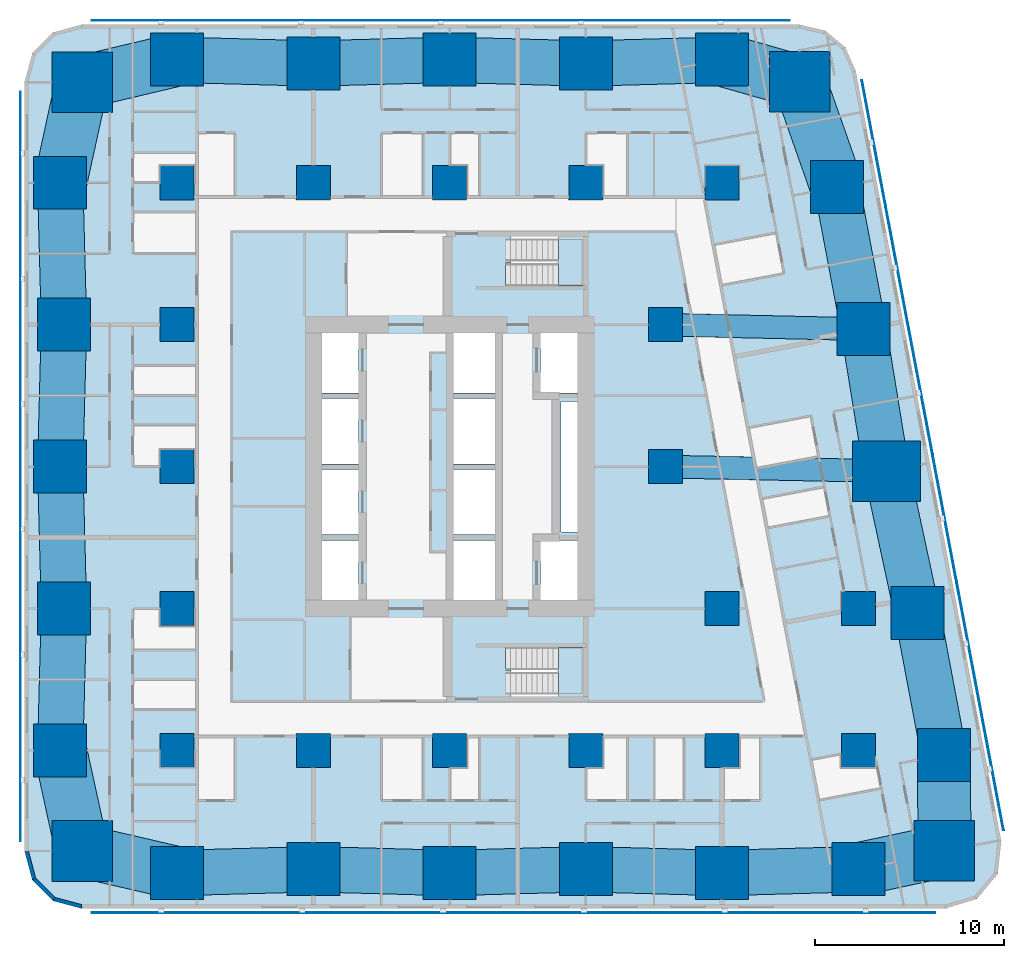
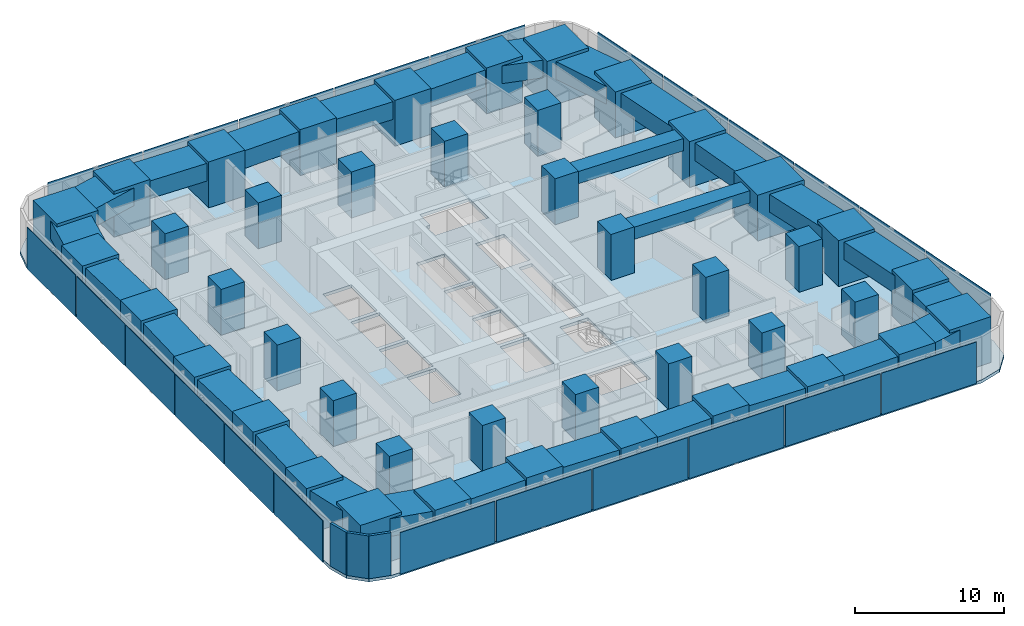
# One storey, part 1 of 18: 43 columns, 27 beams, 23 plates, 3 slabs, 3 walls, 2 elements without a shape of their own.
"""IFC4 building model written with IfcOpenShell, lengths in metres."""

from ifc_helpers import new_model, si_unit, direction, frame, frame_2d, origin, origin_2d, place, context, subcontext, project, spatial, polyline, rectangle, outline, extrude, material, layer, layer_set, material_profile, profile_set, type_object, element, aggregate, save


model = new_model("IFC4")

# Units and contexts
model_context = context("Model", 3, precision=1e-05, world=origin(), true_north=direction((0.0, 1.0)))
body_context = subcontext(model_context, "Body", "Model", "MODEL_VIEW")
ifc_project = project(units=[si_unit("LENGTHUNIT", "METRE"), si_unit("AREAUNIT", "SQUARE_METRE"), si_unit("VOLUMEUNIT", "CUBIC_METRE"), si_unit("PLANEANGLEUNIT", "RADIAN"), si_unit("MASSUNIT", "GRAM", prefix="KILO")], contexts=[model_context])

# Site, building, storey
site_placement = place(None, origin())
site = spatial("IfcSite", under=ifc_project, at=site_placement, CompositionType="ELEMENT")
building_placement = place(site_placement, origin())
building = spatial("IfcBuilding", under=site, at=building_placement, Name="Sheger Commons Tower", CompositionType="ELEMENT")
storey_placement = place(building_placement, frame((0.0, 0.0, 31.25)))
storey = spatial("IfcBuildingStorey", under=building, at=storey_placement, Name="L07", CompositionType="ELEMENT", Elevation=31.25)

# Columns
ifc_material_1 = material(Name="Concrete C50/60", Category="concrete")
ifc_material_profile_1 = material_profile(ifc_material_1, rectangle(XDim=3.60009765625, YDim=3.199951171875, at=origin_2d()), Name="RC 3600x3200")
ifc_profile_set_1 = profile_set([ifc_material_profile_1], Name="Concrete C50/60")
column_type_1 = type_object("IfcColumnType", Name="COLUMN PIER RC 3600x3200", PredefinedType="COLUMN", material=ifc_profile_set_1)
column_placement = place(storey_placement, frame((44.697021484375, 22.262939453125, 0.0), z_axis=(0.0, 0.0, 1.0), x_axis=(1.0, 0.0, 0.0)))
element("IfcColumn", 1, at=column_placement, inside=storey, type_object=column_type_1, Name="Pier 7/D+E/D L07", PredefinedType="COLUMN", context=body_context, shape_type="SweptSolid", body=[
    extrude(rectangle(XDim=3.60009765625, YDim=3.199951171875, at=origin_2d()), origin(), (0.0, 0.0, 1.0), 3.75),
])
ifc_material_2 = material(Name="Concrete C50/60", Category="concrete")
ifc_material_profile_2 = material_profile(ifc_material_2, rectangle(XDim=1.800048828125, YDim=1.800048828125, at=origin_2d()), Name="RC 1800x1800")
ifc_profile_set_2 = profile_set([ifc_material_profile_2], Name="Concrete C50/60")
column_type_2 = type_object("IfcColumnType", Name="COLUMN RC 1800x1800", PredefinedType="COLUMN", material=ifc_profile_set_2)
for number, where, z_axis, x_axis, name in (
    (2, (7.199951171875, 7.5, 0.0), (0.0, 0.0, 1.0), (1.0, 0.0, 0.0), "Column 2/B L07"),
    (3, (14.39990234375, 7.5, 0.0), (0.0, 0.0, 1.0), (1.0, 0.0, 0.0), "Column 3/B L07"),
    (4, (21.60009765625, 7.5, 0.0), (0.0, 0.0, 1.0), (1.0, 0.0, 0.0), "Column 4/B L07"),
    (5, (28.800048828125, 7.5, 0.0), (0.0, 0.0, 1.0), (1.0, 0.0, 0.0), "Column 5/B L07"),
    (6, (36.0, 7.5, 0.0), (0.0, 0.0, 1.0), (1.0, 0.0, 0.0), "Column 6/B L07"),
    (7, (43.199951171875, 7.5, 0.0), (0.0, 0.0, 1.0), (1.0, 0.0, 0.0), "Column 7/B L07"),
    (8, (7.199951171875, 15.0, 0.0), (0.0, 0.0, 1.0), (1.0, 0.0, 0.0), "Column 2/C L07"),
    (9, (36.0, 15.0, 0.0), (0.0, 0.0, 1.0), (1.0, 0.0, 0.0), "Column 6/C L07"),
    (10, (43.199951171875, 15.0, 0.0), (0.0, 0.0, 1.0), (1.0, 0.0, 0.0), "Column 7/C L07"),
    (11, (7.199951171875, 22.5, 0.0), (0.0, 0.0, 1.0), (1.0, 0.0, 0.0), "Column 2/D L07"),
    (12, (33.0, 22.5, 0.0), (0.0, 0.0, 1.0), (1.0, 0.0, 0.0), "Column 6-3000/D L07"),
    (13, (7.199951171875, 30.0, 0.0), (0.0, 0.0, 1.0), (1.0, 0.0, 0.0), "Column 2/E L07"),
    (14, (33.0, 30.0, 0.0), (0.0, 0.0, 1.0), (1.0, 0.0, 0.0), "Column 6-3000/E L07"),
    (15, (7.199951171875, 37.5, 0.0), (0.0, 0.0, 1.0), (1.0, 0.0, 0.0), "Column 2/F L07"),
    (16, (14.39990234375, 37.5, 0.0), (0.0, 0.0, 1.0), (1.0, 0.0, 0.0), "Column 3/F L07"),
    (17, (21.60009765625, 37.5, 0.0), (0.0, 0.0, 1.0), (1.0, 0.0, 0.0), "Column 4/F L07"),
    (18, (28.800048828125, 37.5, 0.0), (0.0, 0.0, 1.0), (1.0, 0.0, 0.0), "Column 5/F L07"),
    (19, (36.0, 37.5, 0.0), (0.0, 0.0, 1.0), (1.0, 0.0, 0.0), "Column 6/F L07"),
):
    element("IfcColumn", number, at=place(storey_placement, frame(where, z_axis=z_axis, x_axis=x_axis)), inside=storey, type_object=column_type_2, Name=name, PredefinedType="COLUMN", context=body_context, shape_type="SweptSolid", body=[
        extrude(rectangle(XDim=1.800048828125, YDim=1.800048828125, at=origin_2d()), origin(), (0.0, 0.0, 1.0), 3.75),
    ])
ifc_material_3 = material(Name="Concrete C50/60", Category="concrete")
ifc_material_profile_3 = material_profile(ifc_material_3, rectangle(XDim=2.800048828125, YDim=2.800048828125, at=origin_2d()), Name="RC 2800x2800")
ifc_profile_set_3 = profile_set([ifc_material_profile_3], Name="Concrete C50/60")
column_type_3 = type_object("IfcColumnType", Name="COLUMN RC 2800x2800", PredefinedType="COLUMN", material=ifc_profile_set_3)
for number, where, z_axis, x_axis, name in (
    (20, (7.199951171875, 1.02490234375, 0.0), (0.0, 0.0, 1.0), (1.0, 0.0, 0.0), "Column 2/A L07"),
    (21, (14.39990234375, 1.22509765625, 0.0), (0.0, 0.0, 1.0), (1.0, 0.0, 0.0), "Column 3/A L07"),
    (22, (21.60009765625, 1.02490234375, 0.0), (0.0, 0.0, 1.0), (1.0, 0.0, 0.0), "Column 4/A L07"),
    (23, (28.800048828125, 1.22509765625, 0.0), (0.0, 0.0, 1.0), (1.0, 0.0, 0.0), "Column 5/A L07"),
    (24, (36.0, 1.02490234375, 0.0), (0.0, 0.0, 1.0), (1.0, 0.0, 0.0), "Column 6/A L07"),
    (25, (43.199951171875, 1.22509765625, 0.0), (0.0, 0.0, 1.0), (1.0, 0.0, 0.0), "Column 7/A L07"),
    (26, (1.02490234375, 7.5, 0.0), (0.0, 0.0, 1.0), (1.0, 0.0, 0.0), "Column 1/B L07"),
    (27, (47.72998046875, 7.262939453125, 0.0), (0.0, 0.0, 1.0), (1.0, 0.0, 0.0), "Column E/B L07"),
    (28, (1.22509765625, 15.0, 0.0), (0.0, 0.0, 1.0), (1.0, 0.0, 0.0), "Column 1/C L07"),
    (29, (46.31396484375, 14.762939453125, 0.0), (0.0, 0.0, 1.0), (1.0, 0.0, 0.0), "Column E/C L07"),
    (30, (1.02490234375, 22.5, 0.0), (0.0, 0.0, 1.0), (1.0, 0.0, 0.0), "Column 1/D L07"),
    (31, (1.22509765625, 30.0, 0.0), (0.0, 0.0, 1.0), (1.0, 0.0, 0.0), "Column 1/E L07"),
    (32, (43.47998046875, 29.762939453125, 0.0), (0.0, 0.0, 1.0), (1.0, 0.0, 0.0), "Column E/E L07"),
    (33, (1.02490234375, 37.5, 0.0), (0.0, 0.0, 1.0), (1.0, 0.0, 0.0), "Column 1/F L07"),
    (34, (42.06396484375, 37.262939453125, 0.0), (0.0, 0.0, 1.0), (1.0, 0.0, 0.0), "Column E/F L07"),
    (35, (7.199951171875, 44.0, 0.0), (0.0, 0.0, 1.0), (1.0, 0.0, 0.0), "Column 2/G L07"),
    (36, (14.39990234375, 43.800048828125, 0.0), (0.0, 0.0, 1.0), (1.0, 0.0, 0.0), "Column 3/G L07"),
    (37, (21.60009765625, 44.0, 0.0), (0.0, 0.0, 1.0), (1.0, 0.0, 0.0), "Column 4/G L07"),
    (38, (28.800048828125, 43.800048828125, 0.0), (0.0, 0.0, 1.0), (1.0, 0.0, 0.0), "Column 5/G L07"),
    (39, (36.0, 44.0, 0.0), (0.0, 0.0, 1.0), (1.0, 0.0, 0.0), "Column 6/G L07"),
):
    element("IfcColumn", number, at=place(storey_placement, frame(where, z_axis=z_axis, x_axis=x_axis)), inside=storey, type_object=column_type_3, Name=name, PredefinedType="COLUMN", context=body_context, shape_type="SweptSolid", body=[
        extrude(rectangle(XDim=2.800048828125, YDim=2.800048828125, at=origin_2d()), origin(), (0.0, 0.0, 1.0), 3.75),
    ])
ifc_material_4 = material(Name="Concrete C50/60", Category="concrete")
ifc_material_profile_4 = material_profile(ifc_material_4, rectangle(XDim=3.199951171875, YDim=3.199951171875, at=origin_2d()), Name="RC 3200x3200")
ifc_profile_set_4 = profile_set([ifc_material_profile_4], Name="Concrete C50/60")
column_type_4 = type_object("IfcColumnType", Name="COLUMN RC 3200x3200", PredefinedType="COLUMN", material=ifc_profile_set_4)
for number, where, z_axis, x_axis, name in (
    (40, (2.18603515625, 2.18603515625, 0.0), (0.0, 0.0, 1.0), (1.0, 0.0, 0.0), "Column 0.630,0.630 L07"),
    (41, (47.748046875, 2.197021484375, 0.0), (0.0, 0.0, 1.0), (1.0, 0.0, 0.0), "Column 49.461,0.778 L07"),
    (42, (2.18603515625, 42.81396484375, 0.0), (0.0, 0.0, 1.0), (1.0, 0.0, 0.0), "Column 0.630,44.370 L07"),
    (43, (40.10205078125, 42.830078125, 0.0), (0.0, 0.0, 1.0), (1.0, 0.0, 0.0), "Column 41.490,44.505 L07"),
):
    element("IfcColumn", number, at=place(storey_placement, frame(where, z_axis=z_axis, x_axis=x_axis)), inside=storey, type_object=column_type_4, Name=name, PredefinedType="COLUMN", context=body_context, shape_type="SweptSolid", body=[
        extrude(rectangle(XDim=3.199951171875, YDim=3.199951171875, at=origin_2d()), origin(), (0.0, 0.0, 1.0), 3.75),
    ])

# Beams
ifc_material_5 = material(Name="Concrete C50/60", Category="concrete")
ifc_material_profile_5 = material_profile(ifc_material_5, rectangle(XDim=1.199951171875, YDim=1.0, at=origin_2d()), Name="RC 1200x1000")
ifc_profile_set_5 = profile_set([ifc_material_profile_5], Name="Concrete C50/60")
beam_type_1 = type_object("IfcBeamType", Name="BEAM RC 1200x1000", PredefinedType="BEAM", material=ifc_profile_set_5)
beam_1_placement = place(storey_placement, frame((33.0, 22.5, 3.0), z_axis=(0.999794692776, -0.02026258368, 0.0), x_axis=(0.02026258368, 0.999794692776, 0.0)))
element("IfcBeam", 44, at=beam_1_placement, inside=storey, type_object=beam_type_1, Name="Beam 6-3000/D-7/D under L08", PredefinedType="BEAM", context=body_context, shape_type="SweptSolid", body=[
    extrude(rectangle(XDim=1.199951171875, YDim=1.0, at=origin_2d()), origin(), (0.0, 0.0, 1.0), 11.699462890625),
])
beam_2_placement = place(storey_placement, frame((33.0, 30.0, 3.0), z_axis=(0.999744258625, -0.022614538395, 0.0), x_axis=(0.022614538395, 0.999744258625, 0.0)))
element("IfcBeam", 45, at=beam_2_placement, inside=storey, type_object=beam_type_1, Name="Beam 6-3000/E-E/E under L08", PredefinedType="BEAM", context=body_context, shape_type="SweptSolid", body=[
    extrude(rectangle(XDim=1.199951171875, YDim=1.0, at=origin_2d()), origin(), (0.0, 0.0, 1.0), 10.482666015625),
])
ifc_material_6 = material(Name="Concrete C50/60", Category="concrete")
ifc_material_profile_6 = material_profile(ifc_material_6, rectangle(XDim=2.39990234375, YDim=1.449951171875, at=origin_2d()), Name="RC 2400x1450")
ifc_profile_set_6 = profile_set([ifc_material_profile_6], Name="Concrete C50/60")
beam_type_2 = type_object("IfcBeamType", Name="SPANDREL RC 2400x1450", PredefinedType="SPANDREL", material=ifc_profile_set_6)
beam_3_placement = place(storey_placement, frame((7.199951171875, 1.02490234375, 2.77490234375), z_axis=(0.9996136624, 0.027794350926, 0.0), x_axis=(-0.027794350926, 0.9996136624, 0.0)))
element("IfcBeam", 46, at=beam_3_placement, inside=storey, type_object=beam_type_2, Name="Beam 2/A-3/A under L08", PredefinedType="SPANDREL", context=body_context, shape_type="SweptSolid", body=[
    extrude(rectangle(XDim=2.39990234375, YDim=1.449951171875, at=origin_2d()), origin(), (0.0, 0.0, 1.0), 7.20263671875),
])
beam_4_placement = place(storey_placement, frame((14.39990234375, 1.22509765625, 2.77490234375), z_axis=(0.999613688584, -0.027793409217, 0.0), x_axis=(0.027793409217, 0.999613688584, 0.0)))
element("IfcBeam", 47, at=beam_4_placement, inside=storey, type_object=beam_type_2, Name="Beam 3/A-4/A under L08", PredefinedType="SPANDREL", context=body_context, shape_type="SweptSolid", body=[
    extrude(rectangle(XDim=2.39990234375, YDim=1.449951171875, at=origin_2d()), origin(), (0.0, 0.0, 1.0), 7.202880859375),
])
for number, where, z_axis, x_axis, name in (
    (48, (21.60009765625, 1.02490234375, 2.77490234375), (0.9996136624, 0.027794350926, 0.0), (-0.027794350926, 0.9996136624, 0.0), "Beam 4/A-5/A under L08"),
    (49, (28.800048828125, 1.22509765625, 2.77490234375), (0.9996136624, -0.027794350926, 0.0), (0.027794350926, 0.9996136624, 0.0), "Beam 5/A-6/A under L08"),
    (50, (36.0, 1.02490234375, 2.77490234375), (0.9996136624, 0.027794350926, 0.0), (-0.027794350926, 0.9996136624, 0.0), "Beam 6/A-7/A under L08"),
):
    element("IfcBeam", number, at=place(storey_placement, frame(where, z_axis=z_axis, x_axis=x_axis)), inside=storey, type_object=beam_type_2, Name=name, PredefinedType="SPANDREL", context=body_context, shape_type="SweptSolid", body=[
        extrude(rectangle(XDim=2.39990234375, YDim=1.449951171875, at=origin_2d()), origin(), (0.0, 0.0, 1.0), 7.20263671875),
    ])
beam_5_placement = place(storey_placement, frame((47.72998046875, 7.262939453125, 2.77490234375), z_axis=(-0.18552441405, 0.982639655108, 0.0), x_axis=(-0.982639655108, -0.18552441405, 0.0)))
element("IfcBeam", 51, at=beam_5_placement, inside=storey, type_object=beam_type_2, Name="Beam E/B-E/C under L08", PredefinedType="SPANDREL", context=body_context, shape_type="SweptSolid", body=[
    extrude(rectangle(XDim=2.39990234375, YDim=1.449951171875, at=origin_2d()), origin(), (0.0, 0.0, 1.0), 7.632568359375),
])
beam_6_placement = place(storey_placement, frame((46.31396484375, 14.762939453125, 2.77490234375), z_axis=(-0.210750229323, 0.977539943348, 0.0), x_axis=(-0.977539943348, -0.210750229323, 0.0)))
element("IfcBeam", 52, at=beam_6_placement, inside=storey, type_object=beam_type_2, Name="Beam E/C-E/D under L08", PredefinedType="SPANDREL", context=body_context, shape_type="SweptSolid", body=[
    extrude(rectangle(XDim=2.39990234375, YDim=1.449951171875, at=origin_2d()), origin(), (0.0, 0.0, 1.0), 7.67236328125),
])
beam_7_placement = place(storey_placement, frame((44.697021484375, 22.262939453125, 2.77490234375), z_axis=(-0.160176929512, 0.987088319884, 0.0), x_axis=(-0.987088319884, -0.160176929512, 0.0)))
element("IfcBeam", 53, at=beam_7_placement, inside=storey, type_object=beam_type_2, Name="Beam E/D-E/E under L08", PredefinedType="SPANDREL", context=body_context, shape_type="SweptSolid", body=[
    extrude(rectangle(XDim=2.39990234375, YDim=1.449951171875, at=origin_2d()), origin(), (0.0, 0.0, 1.0), 7.59814453125),
])
beam_8_placement = place(storey_placement, frame((43.47998046875, 29.762939453125, 2.77490234375), z_axis=(-0.18552441405, 0.982639655108, 0.0), x_axis=(-0.982639655108, -0.18552441405, 0.0)))
element("IfcBeam", 54, at=beam_8_placement, inside=storey, type_object=beam_type_2, Name="Beam E/E-E/F under L08", PredefinedType="SPANDREL", context=body_context, shape_type="SweptSolid", body=[
    extrude(rectangle(XDim=2.39990234375, YDim=1.449951171875, at=origin_2d()), origin(), (0.0, 0.0, 1.0), 7.632568359375),
])
for number, where, z_axis, x_axis, name in (
    (55, (36.0, 44.0, 2.77490234375), (-0.999614603568, -0.027760481514, 0.0), (0.027760481514, -0.999614603568, 0.0), "Beam 6/G-5/G under L08"),
    (56, (28.800048828125, 43.800048828125, 2.77490234375), (-0.999614603568, 0.027760481514, 0.0), (-0.027760481514, -0.999614603568, 0.0), "Beam 5/G-4/G under L08"),
):
    element("IfcBeam", number, at=place(storey_placement, frame(where, z_axis=z_axis, x_axis=x_axis)), inside=storey, type_object=beam_type_2, Name=name, PredefinedType="SPANDREL", context=body_context, shape_type="SweptSolid", body=[
        extrude(rectangle(XDim=2.39990234375, YDim=1.449951171875, at=origin_2d()), origin(), (0.0, 0.0, 1.0), 7.20263671875),
    ])
beam_9_placement = place(storey_placement, frame((21.60009765625, 44.0, 2.77490234375), z_axis=(-0.999614629688, -0.027759540951, 0.0), x_axis=(0.027759540951, -0.999614629688, 0.0)))
element("IfcBeam", 57, at=beam_9_placement, inside=storey, type_object=beam_type_2, Name="Beam 4/G-3/G under L08", PredefinedType="SPANDREL", context=body_context, shape_type="SweptSolid", body=[
    extrude(rectangle(XDim=2.39990234375, YDim=1.449951171875, at=origin_2d()), origin(), (0.0, 0.0, 1.0), 7.202880859375),
])
beam_10_placement = place(storey_placement, frame((14.39990234375, 43.800048828125, 2.77490234375), z_axis=(-0.999614603568, 0.027760481514, 0.0), x_axis=(-0.027760481514, -0.999614603568, 0.0)))
element("IfcBeam", 58, at=beam_10_placement, inside=storey, type_object=beam_type_2, Name="Beam 3/G-2/G under L08", PredefinedType="SPANDREL", context=body_context, shape_type="SweptSolid", body=[
    extrude(rectangle(XDim=2.39990234375, YDim=1.449951171875, at=origin_2d()), origin(), (0.0, 0.0, 1.0), 7.20263671875),
])
for number, where, z_axis, x_axis, name in (
    (59, (1.02490234375, 37.5, 2.77490234375), (0.026683204125, -0.999643939919, 0.0), (0.999643939919, 0.026683204125, 0.0), "Beam 1/F-1/E under L08"),
    (60, (1.22509765625, 30.0, 2.77490234375), (-0.026683204125, -0.999643939919, 0.0), (0.999643939919, -0.026683204125, 0.0), "Beam 1/E-1/D under L08"),
    (61, (1.02490234375, 22.5, 2.77490234375), (0.026683204125, -0.999643939919, 0.0), (0.999643939919, 0.026683204125, 0.0), "Beam 1/D-1/C under L08"),
    (62, (1.22509765625, 15.0, 2.77490234375), (-0.026683204125, -0.999643939919, 0.0), (0.999643939919, -0.026683204125, 0.0), "Beam 1/C-1/B under L08"),
):
    element("IfcBeam", number, at=place(storey_placement, frame(where, z_axis=z_axis, x_axis=x_axis)), inside=storey, type_object=beam_type_2, Name=name, PredefinedType="SPANDREL", context=body_context, shape_type="SweptSolid", body=[
        extrude(rectangle(XDim=2.39990234375, YDim=1.449951171875, at=origin_2d()), origin(), (0.0, 0.0, 1.0), 7.502685546875),
    ])
ifc_material_7 = material(Name="Concrete C50/60", Category="concrete")
ifc_material_profile_7 = material_profile(ifc_material_7, rectangle(XDim=2.800048828125, YDim=1.449951171875, at=origin_2d()), Name="RC 2800x1450")
ifc_profile_set_7 = profile_set([ifc_material_profile_7], Name="Concrete C50/60")
beam_type_3 = type_object("IfcBeamType", Name="SPANDREL RC 2800x1450", PredefinedType="SPANDREL", material=ifc_profile_set_7)
beam_11_placement = place(storey_placement, frame((2.18603515625, 2.18603515625, 2.77490234375), z_axis=(0.974217413499, -0.225611239159, 0.0), x_axis=(0.225611239159, 0.974217413499, 0.0)))
element("IfcBeam", 63, at=beam_11_placement, inside=storey, type_object=beam_type_3, Name="Beam 0.630,0.630-2/A under L08", PredefinedType="SPANDREL", context=body_context, shape_type="SweptSolid", body=[
    extrude(rectangle(XDim=2.800048828125, YDim=1.449951171875, at=origin_2d()), origin(), (0.0, 0.0, 1.0), 5.146728515625),
])
beam_12_placement = place(storey_placement, frame((43.199951171875, 1.22509765625, 2.77490234375), z_axis=(0.977919796671, 0.208980552394, 0.0), x_axis=(-0.208980552394, 0.977919796671, 0.0)))
element("IfcBeam", 64, at=beam_12_placement, inside=storey, type_object=beam_type_3, Name="Beam 7/A-49.461,0.778 under L08", PredefinedType="SPANDREL", context=body_context, shape_type="SweptSolid", body=[
    extrude(rectangle(XDim=2.800048828125, YDim=1.449951171875, at=origin_2d()), origin(), (0.0, 0.0, 1.0), 4.65087890625),
])
beam_13_placement = place(storey_placement, frame((47.748046875, 2.197021484375, 2.77490234375), z_axis=(-0.003566242382, 0.999993640937, 0.0), x_axis=(-0.999993640937, -0.003566242382, 0.0)))
element("IfcBeam", 65, at=beam_13_placement, inside=storey, type_object=beam_type_3, Name="Beam 49.461,0.778-E/B under L08", PredefinedType="SPANDREL", context=body_context, shape_type="SweptSolid", body=[
    extrude(rectangle(XDim=2.800048828125, YDim=1.449951171875, at=origin_2d()), origin(), (0.0, 0.0, 1.0), 5.06591796875),
])
beam_14_placement = place(storey_placement, frame((42.06396484375, 37.262939453125, 2.77490234375), z_axis=(-0.332374403357, 0.943147526102, 0.0), x_axis=(-0.943147526102, -0.332374403357, 0.0)))
element("IfcBeam", 66, at=beam_14_placement, inside=storey, type_object=beam_type_3, Name="Beam E/F-41.490,44.505 under L08", PredefinedType="SPANDREL", context=body_context, shape_type="SweptSolid", body=[
    extrude(rectangle(XDim=2.800048828125, YDim=1.449951171875, at=origin_2d()), origin(), (0.0, 0.0, 1.0), 5.90283203125),
])
beam_15_placement = place(storey_placement, frame((40.10205078125, 42.830078125, 2.77490234375), z_axis=(-0.961653428129, 0.274267541221, 0.0), x_axis=(-0.274267541221, -0.961653428129, 0.0)))
element("IfcBeam", 67, at=beam_15_placement, inside=storey, type_object=beam_type_3, Name="Beam 41.490,44.505-6/G under L08", PredefinedType="SPANDREL", context=body_context, shape_type="SweptSolid", body=[
    extrude(rectangle(XDim=2.800048828125, YDim=1.449951171875, at=origin_2d()), origin(), (0.0, 0.0, 1.0), 4.265625),
])
beam_16_placement = place(storey_placement, frame((7.199951171875, 44.0, 2.77490234375), z_axis=(-0.97314428949, -0.230195985701, 0.0), x_axis=(0.230195985701, -0.97314428949, 0.0)))
element("IfcBeam", 68, at=beam_16_placement, inside=storey, type_object=beam_type_3, Name="Beam 2/G-0.630,44.370 under L08", PredefinedType="SPANDREL", context=body_context, shape_type="SweptSolid", body=[
    extrude(rectangle(XDim=2.800048828125, YDim=1.449951171875, at=origin_2d()), origin(), (0.0, 0.0, 1.0), 5.15234375),
])
for number, where, z_axis, x_axis, name in (
    (69, (2.18603515625, 42.81396484375, 2.77490234375), (-0.213469314652, -0.976949769283, 0.0), (0.976949769283, -0.213469314652, 0.0), "Beam 0.630,44.370-1/F under L08"),
    (70, (1.02490234375, 7.5, 2.77490234375), (0.213469314652, -0.976949769283, 0.0), (0.976949769283, 0.213469314652, 0.0), "Beam 1/B-0.630,0.630 under L08"),
):
    element("IfcBeam", number, at=place(storey_placement, frame(where, z_axis=z_axis, x_axis=x_axis)), inside=storey, type_object=beam_type_3, Name=name, PredefinedType="SPANDREL", context=body_context, shape_type="SweptSolid", body=[
        extrude(rectangle(XDim=2.800048828125, YDim=1.449951171875, at=origin_2d()), origin(), (0.0, 0.0, 1.0), 5.439453125),
    ])

# Slab
ifc_material_8 = material(Name="Concrete C35/45", Category="concrete")
ifc_layer_1 = layer(ifc_material_8, 0.25)
ifc_layer_set_1 = layer_set([ifc_layer_1], Name="SLAB FLOOR 250")
slab_type_1 = type_object("IfcSlabType", Name="SLAB FLOOR 250", PredefinedType="FLOOR", material=ifc_layer_set_1)
slab_1_placement = place(storey_placement, frame((0.0, 0.0, -0.25)))
element("IfcSlab", 71, at=slab_1_placement, inside=storey, type_object=slab_type_1, Name="L07 floor slab", PredefinedType="FLOOR", context=body_context, shape_type="SweptSolid", body=[
    extrude(outline(polyline([(-0.85009765625, 2.14990234375), (-0.447998046875, 0.64990234375), (0.64990234375, -0.447998046875), (2.14990234375, -0.85009765625), (47.805908203125, -0.85009765625), (49.465087890625, -0.35009765625), (50.570068359375, 0.98388671875), (50.75390625, 2.70703125), (43.06591796875, 43.406982421875), (42.509033203125, 44.660888671875), (41.452880859375, 45.535888671875), (40.117919921875, 45.85009765625), (2.14990234375, 45.85009765625), (0.64990234375, 45.447998046875), (-0.447998046875, 44.35009765625), (-0.85009765625, 42.85009765625), (-0.85009765625, 2.14990234375)]), holes=[polyline([(24.85009765625, 10.35009765625), (28.64990234375, 10.35009765625), (28.64990234375, 12.949951171875), (24.551025390625, 12.949951171875), (24.551025390625, 11.75), (24.85009765625, 11.75), (24.85009765625, 10.35009765625)]), polyline([(24.551025390625, 32.050048828125), (28.64990234375, 32.050048828125), (28.64990234375, 34.64990234375), (24.85009765625, 34.64990234375), (24.85009765625, 33.25), (24.551025390625, 33.25), (24.551025390625, 32.050048828125)]), polyline([(26.39990234375, 15.14990234375), (28.60009765625, 15.14990234375), (28.60009765625, 18.60009765625), (26.39990234375, 18.60009765625), (26.39990234375, 15.14990234375)]), polyline([(26.39990234375, 26.39990234375), (28.60009765625, 26.39990234375), (28.60009765625, 29.85009765625), (26.39990234375, 29.85009765625), (26.39990234375, 26.39990234375)]), polyline([(14.60009765625, 15.14990234375), (16.800048828125, 15.14990234375), (16.800048828125, 18.60009765625), (14.60009765625, 18.60009765625), (14.60009765625, 15.14990234375)]), polyline([(14.60009765625, 18.89990234375), (16.800048828125, 18.89990234375), (16.800048828125, 22.35009765625), (14.60009765625, 22.35009765625), (14.60009765625, 18.89990234375)]), polyline([(14.60009765625, 22.64990234375), (16.800048828125, 22.64990234375), (16.800048828125, 26.10009765625), (14.60009765625, 26.10009765625), (14.60009765625, 22.64990234375)]), polyline([(14.60009765625, 26.39990234375), (16.800048828125, 26.39990234375), (16.800048828125, 29.85009765625), (14.60009765625, 29.85009765625), (14.60009765625, 26.39990234375)]), polyline([(21.800048828125, 15.14990234375), (24.0, 15.14990234375), (24.0, 18.60009765625), (21.800048828125, 18.60009765625), (21.800048828125, 15.14990234375)]), polyline([(21.800048828125, 18.89990234375), (24.0, 18.89990234375), (24.0, 22.35009765625), (21.800048828125, 22.35009765625), (21.800048828125, 18.89990234375)]), polyline([(21.800048828125, 22.64990234375), (24.0, 22.64990234375), (24.0, 26.10009765625), (21.800048828125, 26.10009765625), (21.800048828125, 22.64990234375)]), polyline([(21.800048828125, 26.39990234375), (24.0, 26.39990234375), (24.0, 29.85009765625), (21.800048828125, 29.85009765625), (21.800048828125, 26.39990234375)]), polyline([(27.5, 19.050048828125), (28.5, 19.050048828125), (28.5, 25.949951171875), (27.5, 25.949951171875), (27.5, 19.050048828125)])]), origin(), (0.0, 0.0, 1.0), 0.25),
])

# Plates
ifc_material_9 = material(Name="Perforated black anodised aluminium screen", Category="aluminium")
ifc_layer_2 = layer(ifc_material_9, 0.050048828125)
ifc_layer_set_2 = layer_set([ifc_layer_2], Name="SOLAR SCREEN SCREEN-1")
plate_type = type_object("IfcPlateType", Name="SOLAR SCREEN SCREEN-1", PredefinedType="USERDEFINED", material=ifc_layer_set_2)
for number, where, z_axis, x_axis, name in (
    (72, (6.37109375, -1.074951171875, 0.050048828125), (0.0, 0.0, 1.0), (1.0, 0.0, 0.0), "Perforated solar screen panel"),
    (73, (13.81396484375, -1.074951171875, 0.050048828125), (0.0, 0.0, 1.0), (1.0, 0.0, 0.0), "Perforated solar screen panel"),
    (74, (21.257080078125, -1.074951171875, 0.050048828125), (0.0, 0.0, 1.0), (1.0, 0.0, 0.0), "Perforated solar screen panel"),
    (75, (28.698974609375, -1.074951171875, 0.050048828125), (0.0, 0.0, 1.0), (1.0, 0.0, 0.0), "Perforated solar screen panel"),
    (76, (36.14208984375, -1.074951171875, 0.050048828125), (0.0, 0.0, 1.0), (1.0, 0.0, 0.0), "Perforated solar screen panel"),
    (77, (43.5849609375, -1.074951171875, 0.050048828125), (0.0, 0.0, 1.0), (1.0, 0.0, 0.0), "Perforated solar screen panel"),
):
    element("IfcPlate", number, at=place(storey_placement, frame(where, z_axis=z_axis, x_axis=x_axis)), inside=storey, type_object=plate_type, Name=name, ObjectType="SCREEN", PredefinedType="USERDEFINED", context=body_context, shape_type="SweptSolid", body=[
        extrude(rectangle(XDim=7.343017578125, YDim=0.050048828125, at=origin_2d()), origin(), (0.0, 0.0, 1.0), 3.39990234375),
    ])
for number, where, z_axis, x_axis, name in (
    (78, (50.257080078125, 6.550048828125, 0.050048828125), (0.0, 0.0, 1.0), (-0.185615165645, 0.982622516678, 0.0), "Perforated solar screen panel"),
    (79, (49.007080078125, 13.1689453125, 0.050048828125), (0.0, 0.0, 1.0), (-0.185615165645, 0.982622516678, 0.0), "Perforated solar screen panel"),
    (80, (47.756103515625, 19.7890625, 0.050048828125), (0.0, 0.0, 1.0), (-0.185615165645, 0.982622516678, 0.0), "Perforated solar screen panel"),
    (81, (46.506103515625, 26.408935546875, 0.050048828125), (0.0, 0.0, 1.0), (-0.185615165645, 0.982622516678, 0.0), "Perforated solar screen panel"),
    (82, (45.2548828125, 33.028076171875, 0.050048828125), (0.0, 0.0, 1.0), (-0.185615165645, 0.982622516678, 0.0), "Perforated solar screen panel"),
    (83, (44.0048828125, 39.64794921875, 0.050048828125), (0.0, 0.0, 1.0), (-0.185615165645, 0.982622516678, 0.0), "Perforated solar screen panel"),
):
    element("IfcPlate", number, at=place(storey_placement, frame(where, z_axis=z_axis, x_axis=x_axis)), inside=storey, type_object=plate_type, Name=name, ObjectType="SCREEN", PredefinedType="USERDEFINED", context=body_context, shape_type="SweptSolid", body=[
        extrude(rectangle(XDim=6.636962890625, YDim=0.050048828125, at=origin_2d()), origin(), (0.0, 0.0, 1.0), 3.39990234375),
    ])
for number, where, z_axis, x_axis, name in (
    (84, (35.9208984375, 46.074951171875, 0.050048828125), (0.0, 0.0, 1.0), (-1.0, 0.0, 0.0), "Perforated solar screen panel"),
    (85, (28.528076171875, 46.074951171875, 0.050048828125), (0.0, 0.0, 1.0), (-1.0, 0.0, 0.0), "Perforated solar screen panel"),
    (86, (21.134033203125, 46.074951171875, 0.050048828125), (0.0, 0.0, 1.0), (-1.0, 0.0, 0.0), "Perforated solar screen panel"),
    (87, (13.739990234375, 46.074951171875, 0.050048828125), (0.0, 0.0, 1.0), (-1.0, 0.0, 0.0), "Perforated solar screen panel"),
    (88, (6.346923828125, 46.074951171875, 0.050048828125), (0.0, 0.0, 1.0), (-1.0, 0.0, 0.0), "Perforated solar screen panel"),
):
    element("IfcPlate", number, at=place(storey_placement, frame(where, z_axis=z_axis, x_axis=x_axis)), inside=storey, type_object=plate_type, Name=name, ObjectType="SCREEN", PredefinedType="USERDEFINED", context=body_context, shape_type="SweptSolid", body=[
        extrude(rectangle(XDim=7.2939453125, YDim=0.050048828125, at=origin_2d()), origin(), (0.0, 0.0, 1.0), 3.39990234375),
    ])
for number, where, z_axis, x_axis, name in (
    (89, (-1.074951171875, 39.0419921875, 0.050048828125), (0.0, 0.0, 1.0), (0.0, -1.0, 0.0), "Perforated solar screen panel"),
    (90, (-1.074951171875, 32.425048828125, 0.050048828125), (0.0, 0.0, 1.0), (0.0, -1.0, 0.0), "Perforated solar screen panel"),
    (91, (-1.074951171875, 25.80810546875, 0.050048828125), (0.0, 0.0, 1.0), (0.0, -1.0, 0.0), "Perforated solar screen panel"),
    (92, (-1.074951171875, 19.19189453125, 0.050048828125), (0.0, 0.0, 1.0), (0.0, -1.0, 0.0), "Perforated solar screen panel"),
    (93, (-1.074951171875, 12.574951171875, 0.050048828125), (0.0, 0.0, 1.0), (0.0, -1.0, 0.0), "Perforated solar screen panel"),
    (94, (-1.074951171875, 5.9580078125, 0.050048828125), (0.0, 0.0, 1.0), (0.0, -1.0, 0.0), "Perforated solar screen panel"),
):
    element("IfcPlate", number, at=place(storey_placement, frame(where, z_axis=z_axis, x_axis=x_axis)), inside=storey, type_object=plate_type, Name=name, ObjectType="SCREEN", PredefinedType="USERDEFINED", context=body_context, shape_type="SweptSolid", body=[
        extrude(rectangle(XDim=6.51708984375, YDim=0.050048828125, at=origin_2d()), origin(), (0.0, 0.0, 1.0), 3.39990234375),
    ])

# Stair, slab
ifc_material_10 = material(Name="Concrete C35/45", Category="concrete")
stair_type = type_object("IfcStairType", Name="HALF-TURN STAIR 1200 RISE 3750", PredefinedType="HALF_TURN_STAIR", material=ifc_material_10)
stair_1_placement = place(storey_placement, origin())
stair_1 = element("IfcStair", 95, at=stair_1_placement, inside=storey, type_object=stair_type, Name="Stair S1 L07", PredefinedType="HALF_TURN_STAIR")
ifc_material_11 = material(Name="Concrete C35/45", Category="concrete")
ifc_layer_3 = layer(ifc_material_11, 0.199951171875)
ifc_layer_set_3 = layer_set([ifc_layer_3], Name="STAIR LANDING 200")
slab_type_2 = type_object("IfcSlabType", Name="STAIR LANDING 200", PredefinedType="LANDING", material=ifc_layer_set_3)
slab_2_placement = place(storey_placement, frame((0.0, 0.0, 1.675048828125)))
slab_2 = element("IfcSlab", 96, at=slab_2_placement, type_object=slab_type_2, Name="S1 landing 1", PredefinedType="LANDING", context=body_context, shape_type="SweptSolid", body=[
    extrude(outline(polyline([(27.35009765625, 10.199951171875), (28.800048828125, 10.199951171875), (28.800048828125, 12.949951171875), (27.35009765625, 12.949951171875), (27.35009765625, 10.199951171875)])), origin(), (0.0, 0.0, 1.0), 0.199951171875),
])
aggregate(stair_1, [slab_2])

stair_2_placement = place(storey_placement, origin())
stair_2 = element("IfcStair", 97, at=stair_2_placement, inside=storey, type_object=stair_type, Name="Stair S2 L07", PredefinedType="HALF_TURN_STAIR")
slab_3_placement = place(storey_placement, frame((0.0, 0.0, 1.675048828125)))
slab_3 = element("IfcSlab", 98, at=slab_3_placement, type_object=slab_type_2, Name="S2 landing 1", PredefinedType="LANDING", context=body_context, shape_type="SweptSolid", body=[
    extrude(outline(polyline([(27.35009765625, 32.050048828125), (28.800048828125, 32.050048828125), (28.800048828125, 34.800048828125), (27.35009765625, 34.800048828125), (27.35009765625, 32.050048828125)])), origin(), (0.0, 0.0, 1.0), 0.199951171875),
])
aggregate(stair_2, [slab_3])

# Walls
ifc_material_12 = material(Name="Rendered concrete block masonry, dark grey", Category="masonry")
ifc_layer_4 = layer(ifc_material_12, 0.199951171875)
ifc_layer_set_4 = layer_set([ifc_layer_4], Name="FACADE WALL 200")
wall_type = type_object("IfcWallType", Name="FACADE WALL 200", PredefinedType="SOLIDWALL", material=ifc_layer_set_4)
wall_1_placement = place(storey_placement, frame((-0.75, 2.1630859375, 0.0), z_axis=(0.0, 0.0, 1.0), x_axis=(0.259168954497, -0.965832000415, 0.0)))
element("IfcWall", 99, at=wall_1_placement, inside=storey, type_object=wall_type, Name="Facade wall L07", PredefinedType="SOLIDWALL", context=body_context, shape_type="SweptSolid", body=[
    extrude(rectangle(XDim=1.512939453125, YDim=0.199951171875, at=frame_2d((0.75634765625, 0.0))), origin(), (0.0, 0.0, 1.0), 3.5),
])
wall_2_placement = place(storey_placement, frame((-0.35791015625, 0.701904296875, 0.0), z_axis=(0.0, 0.0, 1.0), x_axis=(0.707106781187, -0.707106781187, 0.0)))
element("IfcWall", 100, at=wall_2_placement, inside=storey, type_object=wall_type, Name="Facade wall L07", PredefinedType="SOLIDWALL", context=body_context, shape_type="SweptSolid", body=[
    extrude(rectangle(XDim=1.498779296875, YDim=0.199951171875, at=frame_2d((0.74951171875, 0.0))), origin(), (0.0, 0.0, 1.0), 3.5),
])
wall_3_placement = place(storey_placement, frame((0.701904296875, -0.35791015625, 0.0), z_axis=(0.0, 0.0, 1.0), x_axis=(0.965832000415, -0.259168954497, 0.0)))
element("IfcWall", 101, at=wall_3_placement, inside=storey, type_object=wall_type, Name="Facade wall L07", PredefinedType="SOLIDWALL", context=body_context, shape_type="SweptSolid", body=[
    extrude(rectangle(XDim=1.512939453125, YDim=0.199951171875, at=frame_2d((0.75634765625, 0.0))), origin(), (0.0, 0.0, 1.0), 3.5),
])

save(model, "model.ifc")
